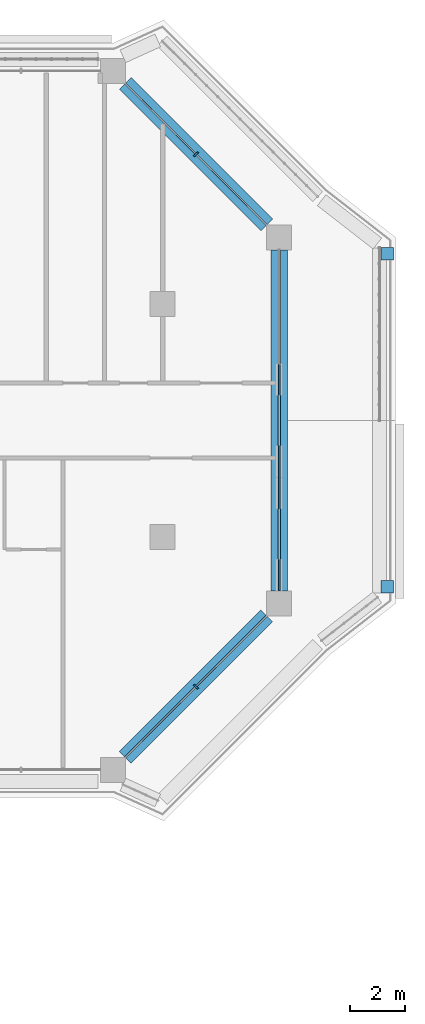
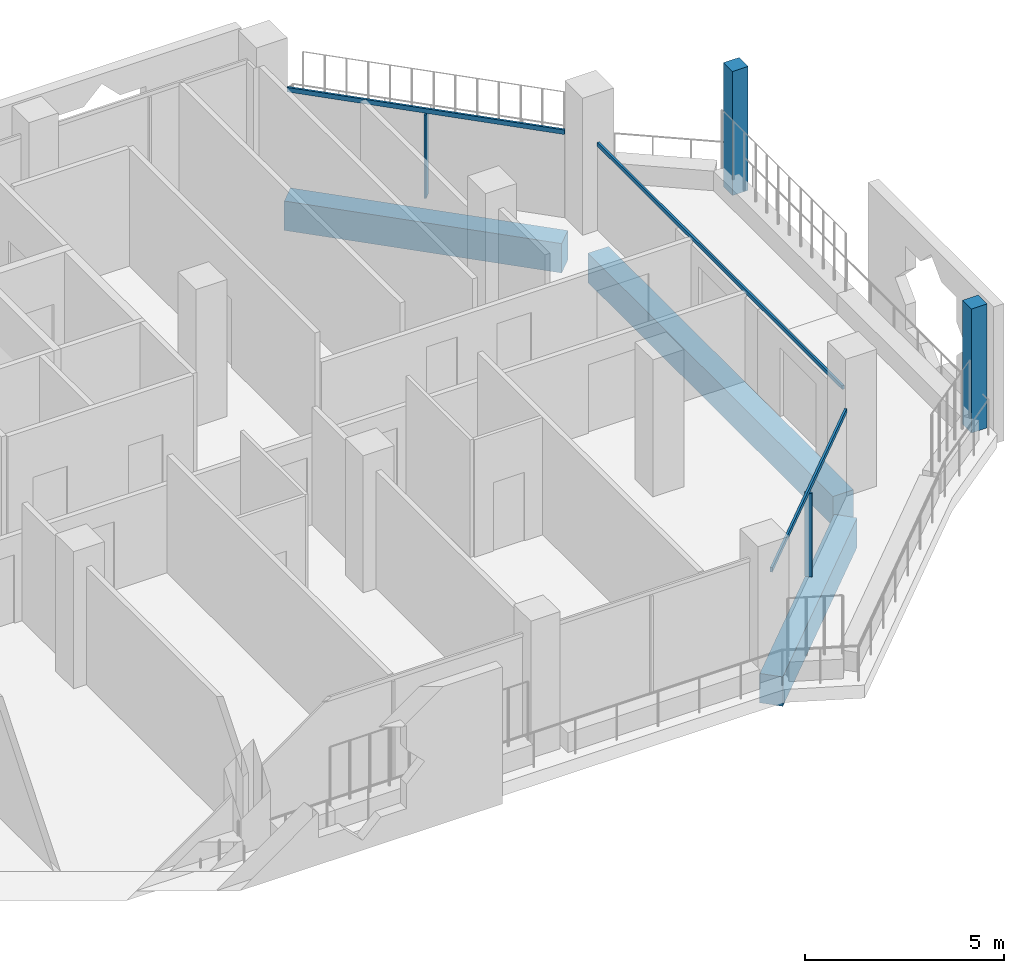
# One storey, part 7 of 21: 7 members, 3 beams, 4 elements without a shape of their own.
"""IFC4 building model written with IfcOpenShell, lengths in metres."""

from ifc_helpers import new_model, si_unit, direction, frame, origin, origin_2d, place, context, subcontext, project, spatial, rectangle, extrude, material, layer, layer_set, material_profile, profile_set, type_object, element, aggregate, save


model = new_model("IFC4")

# Units and contexts
model_context = context("Model", 3, precision=1e-05, world=origin(), true_north=direction((0.0, 1.0)))
body_context = subcontext(model_context, "Body", "Model", "MODEL_VIEW")
ifc_project = project(units=[si_unit("LENGTHUNIT", "METRE"), si_unit("AREAUNIT", "SQUARE_METRE"), si_unit("VOLUMEUNIT", "CUBIC_METRE"), si_unit("PLANEANGLEUNIT", "RADIAN"), si_unit("MASSUNIT", "GRAM", prefix="KILO")], contexts=[model_context])

# Site, building, storey
site_placement = place(None, origin())
site = spatial("IfcSite", under=ifc_project, at=site_placement, CompositionType="ELEMENT")
building_placement = place(site_placement, origin())
building = spatial("IfcBuilding", under=site, at=building_placement, Name="Kawkab Arch Medical Tower", CompositionType="ELEMENT")
storey_placement = place(building_placement, frame((0.0, 0.0, 243.199951171875)))
storey = spatial("IfcBuildingStorey", under=building, at=storey_placement, Name="L56", CompositionType="ELEMENT", Elevation=243.199951171875)

# Curtain wall, member
ifc_material_1 = material(Name="Bronze anodised aluminium curtain wall frame", Category="aluminium")
ifc_layer_1 = layer(ifc_material_1, 0.159912109375)
ifc_layer_set_1 = layer_set([ifc_layer_1], Name="Bronze anodised aluminium curtain wall frame")
curtain_wall_type_1 = type_object("IfcCurtainWallType", Name="CW1 ward curtain wall", PredefinedType="NOTDEFINED", material=ifc_layer_set_1)
placement = place(storey_placement, origin())
curtain_wall_1 = element("IfcCurtainWall", 1, at=placement, inside=storey, type_object=curtain_wall_type_1, Name="CW1 Ward curtain wall R09", PredefinedType="NOTDEFINED")
ifc_material_2 = material(Name="Bronze anodised aluminium curtain wall frame", Category="aluminium")
ifc_material_profile_1 = material_profile(ifc_material_2, rectangle(XDim=0.06005859375, YDim=0.1201171875, at=origin_2d()), Name="AL 60x120")
ifc_profile_set_1 = profile_set([ifc_material_profile_1], Name="Bronze anodised aluminium curtain wall frame")
member_type_1 = type_object("IfcMemberType", Name="CW1 transom 120 x 60", PredefinedType="USERDEFINED", material=ifc_profile_set_1)
member_1_placement = place(storey_placement, frame((63.0, -18.75, 2.64013671875), z_axis=(0.0, 1.0, 0.0), x_axis=(-1.0, 0.0, 0.0)))
member_1 = element("IfcMember", 2, at=member_1_placement, type_object=member_type_1, Name="CW1 transom 1", ObjectType="TRANSOM", PredefinedType="USERDEFINED", context=body_context, shape_type="SweptSolid", body=[
    extrude(rectangle(XDim=0.06005859375, YDim=0.1201171875, at=origin_2d()), origin(), (0.0, 0.0, 1.0), 12.300048828125),
])
aggregate(curtain_wall_1, [member_1])

ifc_material_3 = material(Name="Bronze anodised aluminium curtain wall frame", Category="aluminium")
ifc_layer_2 = layer(ifc_material_3, 0.159912109375)
ifc_layer_set_2 = layer_set([ifc_layer_2], Name="Bronze anodised aluminium curtain wall frame")
curtain_wall_type_2 = type_object("IfcCurtainWallType", Name="CW2 chamfer curtain wall", PredefinedType="NOTDEFINED", material=ifc_layer_set_2)
curtain_wall_2 = element("IfcCurtainWall", 3, at=placement, inside=storey, type_object=curtain_wall_type_2, Name="CW2 Chamfer curtain wall R08", PredefinedType="NOTDEFINED")
ifc_material_4 = material(Name="Bronze anodised aluminium curtain wall frame", Category="aluminium")
ifc_material_profile_2 = material_profile(ifc_material_4, rectangle(XDim=0.199951171875, YDim=0.06005859375, at=origin_2d()), Name="AL 60x200")
ifc_profile_set_2 = profile_set([ifc_material_profile_2], Name="Bronze anodised aluminium curtain wall frame")
member_type_2 = type_object("IfcMemberType", Name="CW2 mullion 60 x 200", PredefinedType="MULLION", material=ifc_profile_set_2)
member_2_placement = place(storey_placement, frame((60.0, -22.199951171875, 0.0), z_axis=(0.0, 0.0, 1.0), x_axis=(-0.707106781187, 0.707106781187, 0.0)))
member_2 = element("IfcMember", 4, at=member_2_placement, type_object=member_type_2, Name="CW2 mullion 1.1", PredefinedType="MULLION", context=body_context, shape_type="SweptSolid", body=[
    extrude(rectangle(XDim=0.199951171875, YDim=0.06005859375, at=origin_2d()), origin(), (0.0, 0.0, 1.0), 2.56005859375),
])

curtain_wall_3 = element("IfcCurtainWall", 5, at=placement, inside=storey, type_object=curtain_wall_type_2, Name="CW2 Chamfer curtain wall R10", PredefinedType="NOTDEFINED")
member_3_placement = place(storey_placement, frame((60.0, -3.0, 0.0), z_axis=(0.0, 0.0, 1.0), x_axis=(-0.707106781187, -0.707106781187, 0.0)))
member_3 = element("IfcMember", 6, at=member_3_placement, type_object=member_type_2, Name="CW2 mullion 1.1", PredefinedType="MULLION", context=body_context, shape_type="SweptSolid", body=[
    extrude(rectangle(XDim=0.199951171875, YDim=0.06005859375, at=origin_2d()), origin(), (0.0, 0.0, 1.0), 2.56005859375),
])

# Member
ifc_material_5 = material(Name="Bronze anodised aluminium curtain wall frame", Category="aluminium")
ifc_material_profile_3 = material_profile(ifc_material_5, rectangle(XDim=0.06005859375, YDim=0.139892578125, at=origin_2d()), Name="AL 60x140")
ifc_profile_set_3 = profile_set([ifc_material_profile_3], Name="Bronze anodised aluminium curtain wall frame")
member_type_3 = type_object("IfcMemberType", Name="CW2 transom 140 x 60", PredefinedType="USERDEFINED", material=ifc_profile_set_3)
member_4_placement = place(storey_placement, frame((57.449951171875, -24.75, 2.630126953125), z_axis=(0.707106781187, 0.707106781187, 0.0), x_axis=(-0.707106781187, 0.707106781187, 0.0)))
member_4 = element("IfcMember", 7, at=member_4_placement, type_object=member_type_3, Name="CW2 transom 1", ObjectType="TRANSOM", PredefinedType="USERDEFINED", context=body_context, shape_type="SweptSolid", body=[
    extrude(rectangle(XDim=0.06005859375, YDim=0.139892578125, at=origin_2d()), origin(), (0.0, 0.0, 1.0), 7.212646484375),
])

aggregate(curtain_wall_2, [member_4, member_2])

member_5_placement = place(storey_placement, frame((62.550048828125, -5.550048828125, 2.630126953125), z_axis=(-0.707106781187, 0.707106781187, 0.0), x_axis=(-0.707106781187, -0.707106781187, 0.0)))
member_5 = element("IfcMember", 8, at=member_5_placement, type_object=member_type_3, Name="CW2 transom 1", ObjectType="TRANSOM", PredefinedType="USERDEFINED", context=body_context, shape_type="SweptSolid", body=[
    extrude(rectangle(XDim=0.06005859375, YDim=0.139892578125, at=origin_2d()), origin(), (0.0, 0.0, 1.0), 7.212646484375),
])

aggregate(curtain_wall_3, [member_5, member_3])

# Curtain wall, members
ifc_material_6 = material(Name="Bronze anodised aluminium climber frame, planted", Category="aluminium")
ifc_layer_3 = layer(ifc_material_6, 0.449951171875)
ifc_layer_set_3 = layer_set([ifc_layer_3], Name="Bronze anodised aluminium climber frame, planted")
curtain_wall_type_3 = type_object("IfcCurtainWallType", Name="Planted climber frame", PredefinedType="NOTDEFINED", material=ifc_layer_set_3)
curtain_wall_4 = element("IfcCurtainWall", 9, at=placement, inside=storey, type_object=curtain_wall_type_3, Name="Planted climber frame L56", PredefinedType="NOTDEFINED")
ifc_material_7 = material(Name="Bronze anodised aluminium climber frame, planted", Category="aluminium")
ifc_material_profile_4 = material_profile(ifc_material_7, rectangle(XDim=0.449951171875, YDim=0.449951171875, at=origin_2d()), Name="Post 450x450")
ifc_profile_set_4 = profile_set([ifc_material_profile_4], Name="Bronze anodised aluminium climber frame, planted")
member_type_4 = type_object("IfcMemberType", Name="Planted climber post 450 x 450", PredefinedType="MULLION", material=ifc_profile_set_4)
member_6_placement = place(storey_placement, frame((66.89990234375, -6.596923828125, 0.0), z_axis=(0.0, 0.0, 1.0), x_axis=(1.0, 0.0, 0.0)))
member_6 = element("IfcMember", 10, at=member_6_placement, type_object=member_type_4, Name="Planted climber post L56.LOG-01-01.1", PredefinedType="MULLION", context=body_context, shape_type="SweptSolid", body=[
    extrude(rectangle(XDim=0.449951171875, YDim=0.449951171875, at=origin_2d()), origin(), (0.0, 0.0, 1.0), 3.800048828125),
])
member_7_placement = place(storey_placement, frame((66.89990234375, -18.60302734375, 0.0), z_axis=(0.0, 0.0, 1.0), x_axis=(1.0, 0.0, 0.0)))
member_7 = element("IfcMember", 11, at=member_7_placement, type_object=member_type_4, Name="Planted climber post L56.LOG-01-01.2", PredefinedType="MULLION", context=body_context, shape_type="SweptSolid", body=[
    extrude(rectangle(XDim=0.449951171875, YDim=0.449951171875, at=origin_2d()), origin(), (0.0, 0.0, 1.0), 3.800048828125),
])
aggregate(curtain_wall_4, [member_6, member_7])

# Beams
ifc_material_8 = material(Name="Concrete C45/55", Category="concrete")
ifc_material_profile_5 = material_profile(ifc_material_8, rectangle(XDim=0.60009765625, YDim=0.89990234375, at=origin_2d()), Name="RC 600x900")
ifc_profile_set_5 = profile_set([ifc_material_profile_5], Name="Concrete C45/55")
beam_type = type_object("IfcBeamType", Name="RC 600x900 beam C45/55", PredefinedType="BEAM", material=ifc_profile_set_5)
beam_1_placement = place(storey_placement, frame((57.449951171875, -0.449951171875, -1.050048828125), z_axis=(0.707106781187, -0.707106781187, 0.0), x_axis=(0.707106781187, 0.707106781187, 0.0)))
element("IfcBeam", 12, at=beam_1_placement, inside=storey, type_object=beam_type, Name="Overhang edge beam L56-01", PredefinedType="BEAM", context=body_context, shape_type="SweptSolid", body=[
    extrude(rectangle(XDim=0.60009765625, YDim=0.89990234375, at=origin_2d()), origin(), (0.0, 0.0, 1.0), 7.212646484375),
])
beam_2_placement = place(storey_placement, frame((63.0, -6.449951171875, -1.050048828125), z_axis=(0.0, -1.0, 0.0), x_axis=(1.0, 0.0, 0.0)))
element("IfcBeam", 13, at=beam_2_placement, inside=storey, type_object=beam_type, Name="Overhang edge beam L56-02", PredefinedType="BEAM", context=body_context, shape_type="SweptSolid", body=[
    extrude(rectangle(XDim=0.60009765625, YDim=0.89990234375, at=origin_2d()), origin(), (0.0, 0.0, 1.0), 12.300048828125),
])
beam_3_placement = place(storey_placement, frame((62.550048828125, -19.64990234375, -1.050048828125), z_axis=(-0.707106781187, -0.707106781187, 0.0), x_axis=(0.707106781187, -0.707106781187, 0.0)))
element("IfcBeam", 14, at=beam_3_placement, inside=storey, type_object=beam_type, Name="Overhang edge beam L56-03", PredefinedType="BEAM", context=body_context, shape_type="SweptSolid", body=[
    extrude(rectangle(XDim=0.60009765625, YDim=0.89990234375, at=origin_2d()), origin(), (0.0, 0.0, 1.0), 7.212646484375),
])

save(model, "model.ifc")
